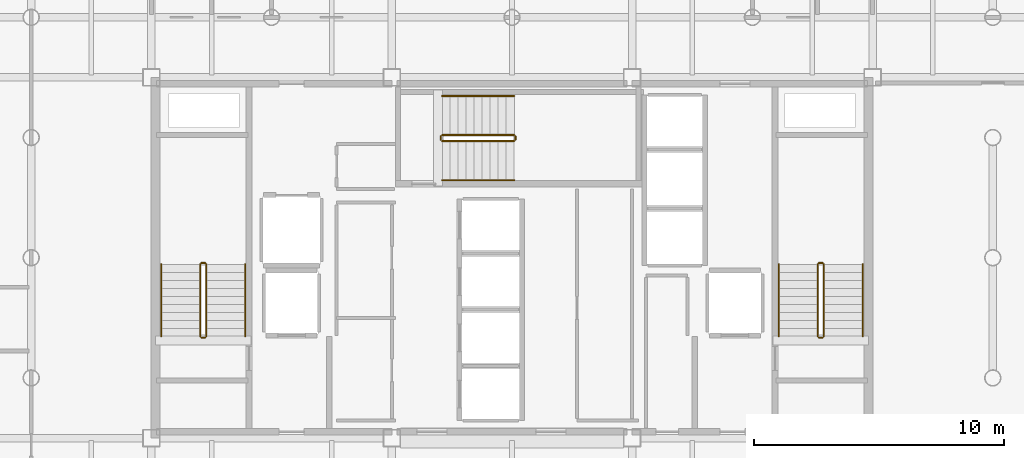
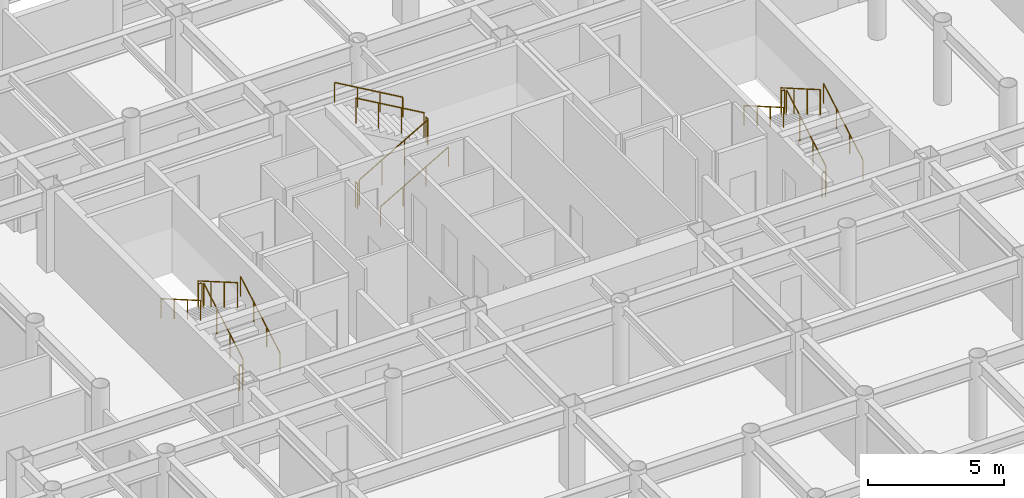
# One storey, part 19 of 19: 18 railings.
"""IFC4 building model written with IfcOpenShell, lengths in metres."""

from ifc_helpers import new_model, si_unit, direction, frame, origin, origin_2d, place, context, subcontext, project, spatial, circle, extrude, material, layer, layer_set, type_object, element, save


model = new_model("IFC4")

# Units and contexts
model_context = context("Model", 3, precision=1e-05, world=origin(), true_north=direction((0.0, 1.0)))
body_context = subcontext(model_context, "Body", "Model", "MODEL_VIEW")
ifc_project = project(units=[si_unit("LENGTHUNIT", "METRE"), si_unit("AREAUNIT", "SQUARE_METRE"), si_unit("VOLUMEUNIT", "CUBIC_METRE"), si_unit("PLANEANGLEUNIT", "RADIAN"), si_unit("MASSUNIT", "GRAM", prefix="KILO")], contexts=[model_context])

# Site, building, storey
site_placement = place(None, origin())
site = spatial("IfcSite", under=ifc_project, at=site_placement, CompositionType="ELEMENT")
building_placement = place(site_placement, origin())
building = spatial("IfcBuilding", under=site, at=building_placement, Name="Kallvorn Hotel Tower", CompositionType="ELEMENT")
storey_placement = place(building_placement, frame((0.0, 0.0, 169.199951171875)))
storey = spatial("IfcBuildingStorey", under=building, at=storey_placement, Name="L42", CompositionType="ELEMENT", Elevation=169.199951171875)

# Railings
ifc_material_1 = material(Name="Brushed stainless-steel tubular railing", Category="steel")
ifc_layer_1 = layer(ifc_material_1, 0.050048828125)
ifc_layer_set_1 = layer_set([ifc_layer_1], Name="RL_STAIR_GUARD")
railing_type_1 = type_object("IfcRailingType", Name="RL_STAIR_GUARD", PredefinedType="GUARDRAIL", material=ifc_layer_set_1)
railing_1_placement = place(storey_placement, frame((-12.2099609375, -3.139892578125, 0.18505859375)))
element("IfcRailing", 1, at=railing_1_placement, inside=storey, type_object=railing_type_1, Name="L42 ST1 stair guard 1", PredefinedType="GUARDRAIL", context=body_context, shape_type="SweptSolid", body=[
    extrude(circle(Radius=0.02392578125, at=origin_2d()), frame((0.0, 0.0, 1.1259765625), z_axis=(0.0, 0.865720918037, 0.500527014328), x_axis=(-1.0, 0.0, 0.0)), (0.0, 0.0, 1.0), 3.32666015625),
    extrude(circle(Radius=0.02099609375, at=origin_2d()), origin(), (0.0, 0.0, 1.0), 1.101806640625),
    extrude(circle(Radius=0.02099609375, at=origin_2d()), frame((0.0, 0.9599609375, 0.554931640625)), (0.0, 0.0, 1.0), 1.101806640625),
    extrude(circle(Radius=0.02099609375, at=origin_2d()), frame((0.0, 1.919921875, 1.110107421875)), (0.0, 0.0, 1.0), 1.101806640625),
    extrude(circle(Radius=0.02099609375, at=origin_2d()), frame((0.0, 2.8798828125, 1.6650390625)), (0.0, 0.0, 1.0), 1.101806640625),
])
railing_2_placement = place(storey_placement, frame((-12.260009765625, -0.2099609375, 1.85009765625)))
element("IfcRailing", 2, at=railing_2_placement, inside=storey, type_object=railing_type_1, Name="L42 ST1 stair guard 2", PredefinedType="GUARDRAIL", context=body_context, shape_type="SweptSolid", body=[
    extrude(circle(Radius=0.02392578125, at=origin_2d()), frame((0.0, 0.0, 1.1259765625), z_axis=(-1.0, 0.0, 0.0), x_axis=(0.0, -1.0, 0.0)), (0.0, 0.0, 1.0), 0.139892578125),
    extrude(circle(Radius=0.02099609375, at=origin_2d()), origin(), (0.0, 0.0, 1.0), 1.101806640625),
    extrude(circle(Radius=0.02099609375, at=origin_2d()), frame((-0.139892578125, 0.0, 0.0)), (0.0, 0.0, 1.0), 1.101806640625),
])
railing_3_placement = place(storey_placement, frame((-12.449951171875, -0.260009765625, 2.03515625)))
element("IfcRailing", 3, at=railing_3_placement, inside=storey, type_object=railing_type_1, Name="L42 ST1 stair guard 3", PredefinedType="GUARDRAIL", context=body_context, shape_type="SweptSolid", body=[
    extrude(circle(Radius=0.02392578125, at=origin_2d()), frame((0.0, 0.0, 1.1259765625), z_axis=(0.0, -0.86575271903, 0.500472006703), x_axis=(1.0, 0.0, 0.0)), (0.0, 0.0, 1.0), 3.326416015625),
    extrude(circle(Radius=0.02099609375, at=origin_2d()), origin(), (0.0, 0.0, 1.0), 1.101806640625),
    extrude(circle(Radius=0.02099609375, at=origin_2d()), frame((0.0, -0.9599609375, 0.554931640625)), (0.0, 0.0, 1.0), 1.101806640625),
    extrude(circle(Radius=0.02099609375, at=origin_2d()), frame((0.0, -1.919921875, 1.10986328125)), (0.0, 0.0, 1.0), 1.101806640625),
    extrude(circle(Radius=0.02099609375, at=origin_2d()), frame((0.0, -2.8798828125, 1.664794921875)), (0.0, 0.0, 1.0), 1.101806640625),
])
railing_4_placement = place(storey_placement, frame((-12.260009765625, -3.18994140625, 0.0)))
element("IfcRailing", 4, at=railing_4_placement, inside=storey, type_object=railing_type_1, Name="L42 ST1 stair guard 4", PredefinedType="GUARDRAIL", context=body_context, shape_type="SweptSolid", body=[
    extrude(circle(Radius=0.02392578125, at=origin_2d()), frame((0.0, 0.0, 1.1259765625), z_axis=(-1.0, 0.0, 0.0), x_axis=(0.0, -1.0, 0.0)), (0.0, 0.0, 1.0), 0.139892578125),
    extrude(circle(Radius=0.02099609375, at=origin_2d()), origin(), (0.0, 0.0, 1.0), 1.101806640625),
    extrude(circle(Radius=0.02099609375, at=origin_2d()), frame((-0.139892578125, 0.0, 0.0)), (0.0, 0.0, 1.0), 1.101806640625),
])
railing_5_placement = place(storey_placement, frame((12.449951171875, -3.139892578125, 0.18505859375)))
element("IfcRailing", 5, at=railing_5_placement, inside=storey, type_object=railing_type_1, Name="L42 ST2 stair guard 1", PredefinedType="GUARDRAIL", context=body_context, shape_type="SweptSolid", body=[
    extrude(circle(Radius=0.02392578125, at=origin_2d()), frame((0.0, 0.0, 1.1259765625), z_axis=(0.0, 0.865720918037, 0.500527014328), x_axis=(-1.0, 0.0, 0.0)), (0.0, 0.0, 1.0), 3.32666015625),
    extrude(circle(Radius=0.02099609375, at=origin_2d()), origin(), (0.0, 0.0, 1.0), 1.101806640625),
    extrude(circle(Radius=0.02099609375, at=origin_2d()), frame((0.0, 0.9599609375, 0.554931640625)), (0.0, 0.0, 1.0), 1.101806640625),
    extrude(circle(Radius=0.02099609375, at=origin_2d()), frame((0.0, 1.919921875, 1.110107421875)), (0.0, 0.0, 1.0), 1.101806640625),
    extrude(circle(Radius=0.02099609375, at=origin_2d()), frame((0.0, 2.8798828125, 1.6650390625)), (0.0, 0.0, 1.0), 1.101806640625),
])
railing_6_placement = place(storey_placement, frame((12.39990234375, -0.2099609375, 1.85009765625)))
element("IfcRailing", 6, at=railing_6_placement, inside=storey, type_object=railing_type_1, Name="L42 ST2 stair guard 2", PredefinedType="GUARDRAIL", context=body_context, shape_type="SweptSolid", body=[
    extrude(circle(Radius=0.02392578125, at=origin_2d()), frame((0.0, 0.0, 1.1259765625), z_axis=(-1.0, 0.0, 0.0), x_axis=(0.0, -1.0, 0.0)), (0.0, 0.0, 1.0), 0.139892578125),
    extrude(circle(Radius=0.02099609375, at=origin_2d()), origin(), (0.0, 0.0, 1.0), 1.101806640625),
    extrude(circle(Radius=0.02099609375, at=origin_2d()), frame((-0.139892578125, 0.0, 0.0)), (0.0, 0.0, 1.0), 1.101806640625),
])
railing_7_placement = place(storey_placement, frame((12.2099609375, -0.260009765625, 2.03515625)))
element("IfcRailing", 7, at=railing_7_placement, inside=storey, type_object=railing_type_1, Name="L42 ST2 stair guard 3", PredefinedType="GUARDRAIL", context=body_context, shape_type="SweptSolid", body=[
    extrude(circle(Radius=0.02392578125, at=origin_2d()), frame((0.0, 0.0, 1.1259765625), z_axis=(0.0, -0.86575271903, 0.500472006703), x_axis=(1.0, 0.0, 0.0)), (0.0, 0.0, 1.0), 3.326416015625),
    extrude(circle(Radius=0.02099609375, at=origin_2d()), origin(), (0.0, 0.0, 1.0), 1.101806640625),
    extrude(circle(Radius=0.02099609375, at=origin_2d()), frame((0.0, -0.9599609375, 0.554931640625)), (0.0, 0.0, 1.0), 1.101806640625),
    extrude(circle(Radius=0.02099609375, at=origin_2d()), frame((0.0, -1.919921875, 1.10986328125)), (0.0, 0.0, 1.0), 1.101806640625),
    extrude(circle(Radius=0.02099609375, at=origin_2d()), frame((0.0, -2.8798828125, 1.664794921875)), (0.0, 0.0, 1.0), 1.101806640625),
])
railing_8_placement = place(storey_placement, frame((12.39990234375, -3.18994140625, 0.0)))
element("IfcRailing", 8, at=railing_8_placement, inside=storey, type_object=railing_type_1, Name="L42 ST2 stair guard 4", PredefinedType="GUARDRAIL", context=body_context, shape_type="SweptSolid", body=[
    extrude(circle(Radius=0.02392578125, at=origin_2d()), frame((0.0, 0.0, 1.1259765625), z_axis=(-1.0, 0.0, 0.0), x_axis=(0.0, -1.0, 0.0)), (0.0, 0.0, 1.0), 0.139892578125),
    extrude(circle(Radius=0.02099609375, at=origin_2d()), origin(), (0.0, 0.0, 1.0), 1.101806640625),
    extrude(circle(Radius=0.02099609375, at=origin_2d()), frame((-0.139892578125, 0.0, 0.0)), (0.0, 0.0, 1.0), 1.101806640625),
])
railing_9_placement = place(storey_placement, frame((-2.7900390625, 4.659912109375, 0.18505859375)))
element("IfcRailing", 9, at=railing_9_placement, inside=storey, type_object=railing_type_1, Name="L42 ST3 stair guard 1", PredefinedType="GUARDRAIL", context=body_context, shape_type="SweptSolid", body=[
    extrude(circle(Radius=0.02392578125, at=origin_2d()), frame((0.0, 0.0, 1.1259765625), z_axis=(0.865739302748, 0.0, 0.50049521444), x_axis=(0.0, 1.0, 0.0)), (0.0, 0.0, 1.0), 3.326904296875),
    extrude(circle(Radius=0.02099609375, at=origin_2d()), origin(), (0.0, 0.0, 1.0), 1.101806640625),
    extrude(circle(Radius=0.02099609375, at=origin_2d()), frame((0.9599609375, 0.0, 0.554931640625)), (0.0, 0.0, 1.0), 1.101806640625),
    extrude(circle(Radius=0.02099609375, at=origin_2d()), frame((1.920166015625, 0.0, 1.110107421875)), (0.0, 0.0, 1.0), 1.101806640625),
    extrude(circle(Radius=0.02099609375, at=origin_2d()), frame((2.880126953125, 0.0, 1.6650390625)), (0.0, 0.0, 1.0), 1.101806640625),
])
railing_10_placement = place(storey_placement, frame((0.139892578125, 4.7099609375, 1.85009765625)))
element("IfcRailing", 10, at=railing_10_placement, inside=storey, type_object=railing_type_1, Name="L42 ST3 stair guard 2", PredefinedType="GUARDRAIL", context=body_context, shape_type="SweptSolid", body=[
    extrude(circle(Radius=0.02392578125, at=origin_2d()), frame((0.0, 0.0, 1.1259765625), z_axis=(0.0, 1.0, 0.0), x_axis=(-1.0, 0.0, 0.0)), (0.0, 0.0, 1.0), 0.14013671875),
    extrude(circle(Radius=0.02099609375, at=origin_2d()), origin(), (0.0, 0.0, 1.0), 1.101806640625),
    extrude(circle(Radius=0.02099609375, at=origin_2d()), frame((0.0, 0.14013671875, 0.0)), (0.0, 0.0, 1.0), 1.101806640625),
])
railing_11_placement = place(storey_placement, frame((0.090087890625, 4.89990234375, 2.03515625)))
element("IfcRailing", 11, at=railing_11_placement, inside=storey, type_object=railing_type_1, Name="L42 ST3 stair guard 3", PredefinedType="GUARDRAIL", context=body_context, shape_type="SweptSolid", body=[
    extrude(circle(Radius=0.02392578125, at=origin_2d()), frame((0.0, 0.0, 1.1259765625), z_axis=(-0.865771100375, 0.0, 0.500440207973), x_axis=(0.0, -1.0, 0.0)), (0.0, 0.0, 1.0), 3.32666015625),
    extrude(circle(Radius=0.02099609375, at=origin_2d()), origin(), (0.0, 0.0, 1.0), 1.101806640625),
    extrude(circle(Radius=0.02099609375, at=origin_2d()), frame((-0.9599609375, 0.0, 0.554931640625)), (0.0, 0.0, 1.0), 1.101806640625),
    extrude(circle(Radius=0.02099609375, at=origin_2d()), frame((-1.920166015625, 0.0, 1.10986328125)), (0.0, 0.0, 1.0), 1.101806640625),
    extrude(circle(Radius=0.02099609375, at=origin_2d()), frame((-2.880126953125, 0.0, 1.664794921875)), (0.0, 0.0, 1.0), 1.101806640625),
])
railing_12_placement = place(storey_placement, frame((-2.840087890625, 4.7099609375, 0.0)))
element("IfcRailing", 12, at=railing_12_placement, inside=storey, type_object=railing_type_1, Name="L42 ST3 stair guard 4", PredefinedType="GUARDRAIL", context=body_context, shape_type="SweptSolid", body=[
    extrude(circle(Radius=0.02392578125, at=origin_2d()), frame((0.0, 0.0, 1.1259765625), z_axis=(0.0, 1.0, 0.0), x_axis=(-1.0, 0.0, 0.0)), (0.0, 0.0, 1.0), 0.14013671875),
    extrude(circle(Radius=0.02099609375, at=origin_2d()), origin(), (0.0, 0.0, 1.0), 1.101806640625),
    extrude(circle(Radius=0.02099609375, at=origin_2d()), frame((0.0, 0.14013671875, 0.0)), (0.0, 0.0, 1.0), 1.101806640625),
])
ifc_material_2 = material(Name="Brushed stainless-steel tubular railing", Category="steel")
ifc_layer_2 = layer(ifc_material_2, 0.050048828125)
ifc_layer_set_2 = layer_set([ifc_layer_2], Name="RL_STAIR_HAND")
railing_type_2 = type_object("IfcRailingType", Name="RL_STAIR_HAND", PredefinedType="HANDRAIL", material=ifc_layer_set_2)
railing_13_placement = place(storey_placement, frame((-10.64990234375, -3.139892578125, 0.18505859375)))
element("IfcRailing", 13, at=railing_13_placement, inside=storey, type_object=railing_type_2, Name="L42 ST1 stair handrail 1", PredefinedType="HANDRAIL", context=body_context, shape_type="SweptSolid", body=[
    extrude(circle(Radius=0.02392578125, at=origin_2d()), frame((0.0, 0.0, 0.8759765625), z_axis=(0.0, 0.865720918037, 0.500527014328), x_axis=(-1.0, 0.0, 0.0)), (0.0, 0.0, 1.0), 3.32666015625),
    extrude(circle(Radius=0.02099609375, at=origin_2d()), origin(), (0.0, 0.0, 1.0), 0.851806640625),
    extrude(circle(Radius=0.02099609375, at=origin_2d()), frame((0.0, 0.9599609375, 0.554931640625)), (0.0, 0.0, 1.0), 0.851806640625),
    extrude(circle(Radius=0.02099609375, at=origin_2d()), frame((0.0, 1.919921875, 1.110107421875)), (0.0, 0.0, 1.0), 0.851806640625),
    extrude(circle(Radius=0.02099609375, at=origin_2d()), frame((0.0, 2.8798828125, 1.6650390625)), (0.0, 0.0, 1.0), 0.851806640625),
])
railing_14_placement = place(storey_placement, frame((-14.010009765625, -0.260009765625, 2.03515625)))
element("IfcRailing", 14, at=railing_14_placement, inside=storey, type_object=railing_type_2, Name="L42 ST1 stair handrail 2", PredefinedType="HANDRAIL", context=body_context, shape_type="SweptSolid", body=[
    extrude(circle(Radius=0.02392578125, at=origin_2d()), frame((0.0, 0.0, 0.8759765625), z_axis=(0.0, -0.86575271903, 0.500472006703), x_axis=(1.0, 0.0, 0.0)), (0.0, 0.0, 1.0), 3.326416015625),
    extrude(circle(Radius=0.02099609375, at=origin_2d()), origin(), (0.0, 0.0, 1.0), 0.851806640625),
    extrude(circle(Radius=0.02099609375, at=origin_2d()), frame((0.0, -0.9599609375, 0.554931640625)), (0.0, 0.0, 1.0), 0.851806640625),
    extrude(circle(Radius=0.02099609375, at=origin_2d()), frame((0.0, -1.919921875, 1.10986328125)), (0.0, 0.0, 1.0), 0.851806640625),
    extrude(circle(Radius=0.02099609375, at=origin_2d()), frame((0.0, -2.8798828125, 1.664794921875)), (0.0, 0.0, 1.0), 0.851806640625),
])
railing_15_placement = place(storey_placement, frame((14.010009765625, -3.139892578125, 0.18505859375)))
element("IfcRailing", 15, at=railing_15_placement, inside=storey, type_object=railing_type_2, Name="L42 ST2 stair handrail 1", PredefinedType="HANDRAIL", context=body_context, shape_type="SweptSolid", body=[
    extrude(circle(Radius=0.02392578125, at=origin_2d()), frame((0.0, 0.0, 0.8759765625), z_axis=(0.0, 0.865720918037, 0.500527014328), x_axis=(-1.0, 0.0, 0.0)), (0.0, 0.0, 1.0), 3.32666015625),
    extrude(circle(Radius=0.02099609375, at=origin_2d()), origin(), (0.0, 0.0, 1.0), 0.851806640625),
    extrude(circle(Radius=0.02099609375, at=origin_2d()), frame((0.0, 0.9599609375, 0.554931640625)), (0.0, 0.0, 1.0), 0.851806640625),
    extrude(circle(Radius=0.02099609375, at=origin_2d()), frame((0.0, 1.919921875, 1.110107421875)), (0.0, 0.0, 1.0), 0.851806640625),
    extrude(circle(Radius=0.02099609375, at=origin_2d()), frame((0.0, 2.8798828125, 1.6650390625)), (0.0, 0.0, 1.0), 0.851806640625),
])
railing_16_placement = place(storey_placement, frame((10.64990234375, -0.260009765625, 2.03515625)))
element("IfcRailing", 16, at=railing_16_placement, inside=storey, type_object=railing_type_2, Name="L42 ST2 stair handrail 2", PredefinedType="HANDRAIL", context=body_context, shape_type="SweptSolid", body=[
    extrude(circle(Radius=0.02392578125, at=origin_2d()), frame((0.0, 0.0, 0.8759765625), z_axis=(0.0, -0.86575271903, 0.500472006703), x_axis=(1.0, 0.0, 0.0)), (0.0, 0.0, 1.0), 3.326416015625),
    extrude(circle(Radius=0.02099609375, at=origin_2d()), origin(), (0.0, 0.0, 1.0), 0.851806640625),
    extrude(circle(Radius=0.02099609375, at=origin_2d()), frame((0.0, -0.9599609375, 0.554931640625)), (0.0, 0.0, 1.0), 0.851806640625),
    extrude(circle(Radius=0.02099609375, at=origin_2d()), frame((0.0, -1.919921875, 1.10986328125)), (0.0, 0.0, 1.0), 0.851806640625),
    extrude(circle(Radius=0.02099609375, at=origin_2d()), frame((0.0, -2.8798828125, 1.664794921875)), (0.0, 0.0, 1.0), 0.851806640625),
])
railing_17_placement = place(storey_placement, frame((-2.7900390625, 3.10009765625, 0.18505859375)))
element("IfcRailing", 17, at=railing_17_placement, inside=storey, type_object=railing_type_2, Name="L42 ST3 stair handrail 1", PredefinedType="HANDRAIL", context=body_context, shape_type="SweptSolid", body=[
    extrude(circle(Radius=0.02392578125, at=origin_2d()), frame((0.0, 0.0, 0.8759765625), z_axis=(0.865739302748, 0.0, 0.50049521444), x_axis=(0.0, 1.0, 0.0)), (0.0, 0.0, 1.0), 3.326904296875),
    extrude(circle(Radius=0.02099609375, at=origin_2d()), origin(), (0.0, 0.0, 1.0), 0.851806640625),
    extrude(circle(Radius=0.02099609375, at=origin_2d()), frame((0.9599609375, 0.0, 0.554931640625)), (0.0, 0.0, 1.0), 0.851806640625),
    extrude(circle(Radius=0.02099609375, at=origin_2d()), frame((1.920166015625, 0.0, 1.110107421875)), (0.0, 0.0, 1.0), 0.851806640625),
    extrude(circle(Radius=0.02099609375, at=origin_2d()), frame((2.880126953125, 0.0, 1.6650390625)), (0.0, 0.0, 1.0), 0.851806640625),
])
railing_18_placement = place(storey_placement, frame((0.090087890625, 6.4599609375, 2.03515625)))
element("IfcRailing", 18, at=railing_18_placement, inside=storey, type_object=railing_type_2, Name="L42 ST3 stair handrail 2", PredefinedType="HANDRAIL", context=body_context, shape_type="SweptSolid", body=[
    extrude(circle(Radius=0.02392578125, at=origin_2d()), frame((0.0, 0.0, 0.8759765625), z_axis=(-0.865771100375, 0.0, 0.500440207973), x_axis=(0.0, -1.0, 0.0)), (0.0, 0.0, 1.0), 3.32666015625),
    extrude(circle(Radius=0.02099609375, at=origin_2d()), origin(), (0.0, 0.0, 1.0), 0.851806640625),
    extrude(circle(Radius=0.02099609375, at=origin_2d()), frame((-0.9599609375, 0.0, 0.554931640625)), (0.0, 0.0, 1.0), 0.851806640625),
    extrude(circle(Radius=0.02099609375, at=origin_2d()), frame((-1.920166015625, 0.0, 1.10986328125)), (0.0, 0.0, 1.0), 0.851806640625),
    extrude(circle(Radius=0.02099609375, at=origin_2d()), frame((-2.880126953125, 0.0, 1.664794921875)), (0.0, 0.0, 1.0), 0.851806640625),
])

save(model, "model.ifc")
